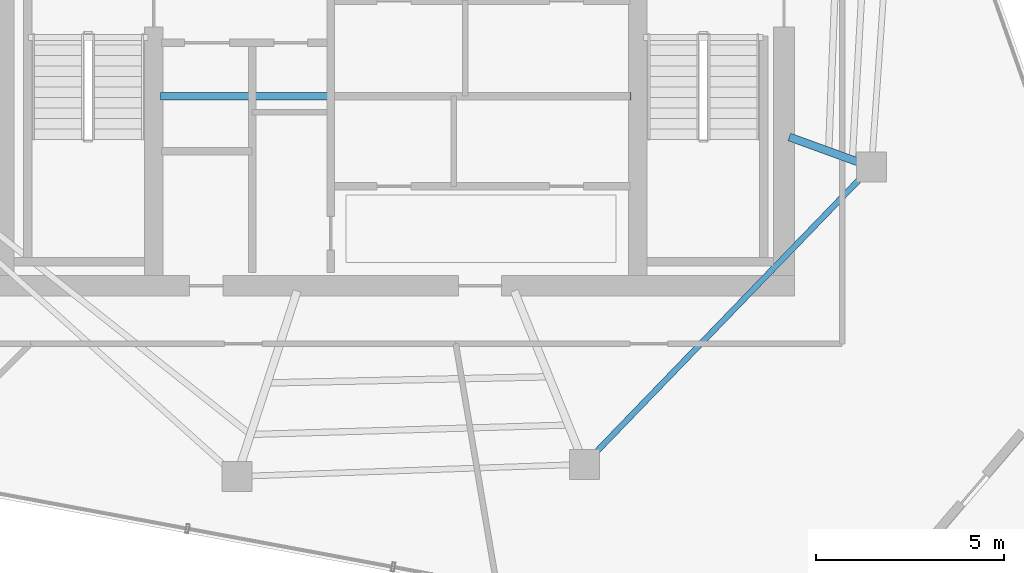
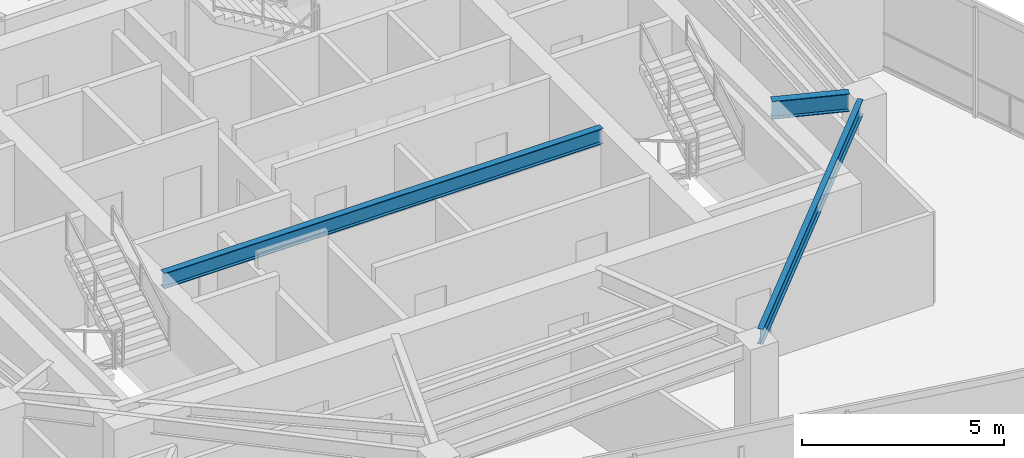
# One storey, part 5 of 18: 3 beams.
"""IFC4 building model written with IfcOpenShell, lengths in metres."""

from ifc_helpers import new_model, si_unit, direction, frame, origin, origin_2d, place, context, subcontext, project, spatial, i_section, extrude, material, material_profile, profile_set, type_object, element, save


model = new_model("IFC4")

# Units and contexts
model_context = context("Model", 3, precision=1e-05, world=origin(), true_north=direction((0.0, 1.0)))
body_context = subcontext(model_context, "Body", "Model", "MODEL_VIEW")
ifc_project = project(units=[si_unit("LENGTHUNIT", "METRE"), si_unit("AREAUNIT", "SQUARE_METRE"), si_unit("VOLUMEUNIT", "CUBIC_METRE"), si_unit("PLANEANGLEUNIT", "RADIAN"), si_unit("MASSUNIT", "GRAM", prefix="KILO")], contexts=[model_context])

# Site, building, storey
site_placement = place(None, origin())
site = spatial("IfcSite", under=ifc_project, at=site_placement, CompositionType="ELEMENT")
building_placement = place(site_placement, origin())
building = spatial("IfcBuilding", under=site, at=building_placement, Name="Qarnah Convention Tower", CompositionType="ELEMENT")
storey_placement = place(building_placement, frame((0.0, 0.0, 253.5)))
storey = spatial("IfcBuildingStorey", under=building, at=storey_placement, Name="L68", CompositionType="ELEMENT", Elevation=253.5)

# Beams
ifc_material = material(Name="Structural steel S355JR", Category="steel")
ifc_material_profile_1 = material_profile(ifc_material, i_section(OverallWidth=0.19189453125, OverallDepth=0.464111328125, WebThickness=0.010986328125, FlangeThickness=0.01806640625, at=origin_2d()), Name="W460X89")
ifc_profile_set_1 = profile_set([ifc_material_profile_1], Name="Structural steel S355JR")
beam_type_1 = type_object("IfcBeamType", Name="BM-CANT-W460A", PredefinedType="BEAM", material=ifc_profile_set_1)
beam_1_placement = place(storey_placement, frame((30.97998046875, 23.64990234375, 3.087890625), z_axis=(1.0, 0.0, 0.0), x_axis=(0.0, 1.0, 0.0)))
element("IfcBeam", 1, at=beam_1_placement, inside=storey, type_object=beam_type_1, Name="L68 beam BM-L68-KC1", PredefinedType="BEAM", context=body_context, shape_type="SweptSolid", body=[
    extrude(i_section(OverallWidth=0.19189453125, OverallDepth=0.464111328125, WebThickness=0.010986328125, FlangeThickness=0.01806640625, at=origin_2d()), origin(), (0.0, 0.0, 1.0), 12.5400390625),
])
ifc_material_profile_2 = material_profile(ifc_material, i_section(OverallWidth=0.2119140625, OverallDepth=0.5400390625, WebThickness=0.011962890625, FlangeThickness=0.01904296875, at=origin_2d()), Name="W530X109")
ifc_profile_set_2 = profile_set([ifc_material_profile_2], Name="Structural steel S355JR")
beam_type_2 = type_object("IfcBeamType", Name="BM-RAD-W530A", PredefinedType="BEAM", material=ifc_profile_set_2)
beam_2_placement = place(storey_placement, frame((47.740966796875, 22.56396484375, 3.050048828125), z_axis=(0.93967655832, -0.342064271363, 0.0), x_axis=(0.342064271363, 0.93967655832, 0.0)))
element("IfcBeam", 2, at=beam_2_placement, inside=storey, type_object=beam_type_2, Name="L68 beam BM-L68-RAD-09", PredefinedType="BEAM", context=body_context, shape_type="SweptSolid", body=[
    extrude(i_section(OverallWidth=0.2119140625, OverallDepth=0.5400390625, WebThickness=0.011962890625, FlangeThickness=0.01904296875, at=origin_2d()), origin(), (0.0, 0.0, 1.0), 1.95263671875),
])
ifc_material_profile_3 = material_profile(ifc_material, i_section(OverallWidth=0.154052734375, OverallDepth=0.4599609375, WebThickness=0.009033203125, FlangeThickness=0.014892578125, at=origin_2d()), Name="W460X68")
ifc_profile_set_3 = profile_set([ifc_material_profile_3], Name="Structural steel S355JR")
beam_type_3 = type_object("IfcBeamType", Name="BM-SPN-W460B", PredefinedType="SPANDREL", material=ifc_profile_set_3)
beam_3_placement = place(storey_placement, frame((42.547119140625, 14.117919921875, 3.090087890625), z_axis=(0.694687671008, 0.719311503974, 0.0), x_axis=(-0.719311503974, 0.694687671008, 0.0)))
element("IfcBeam", 3, at=beam_3_placement, inside=storey, type_object=beam_type_3, Name="L68 spandrel BM-L68-SPN-08", PredefinedType="SPANDREL", context=body_context, shape_type="SweptSolid", body=[
    extrude(i_section(OverallWidth=0.154052734375, OverallDepth=0.4599609375, WebThickness=0.009033203125, FlangeThickness=0.014892578125, at=origin_2d()), origin(), (0.0, 0.0, 1.0), 10.241943359375),
])

save(model, "model.ifc")
